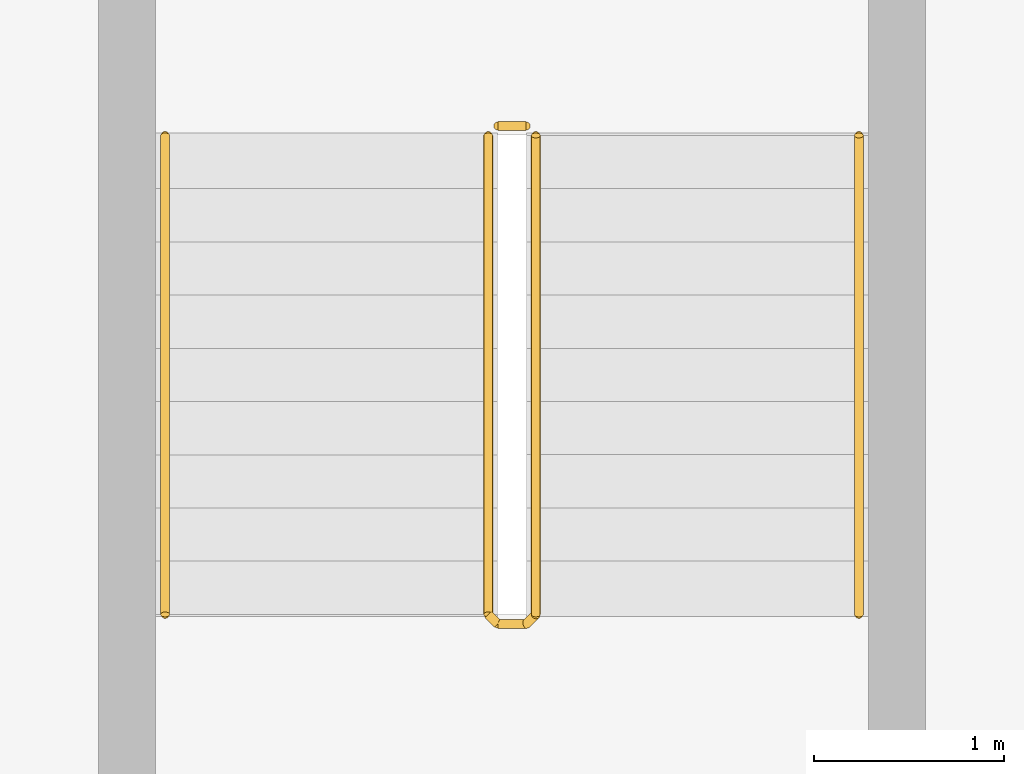
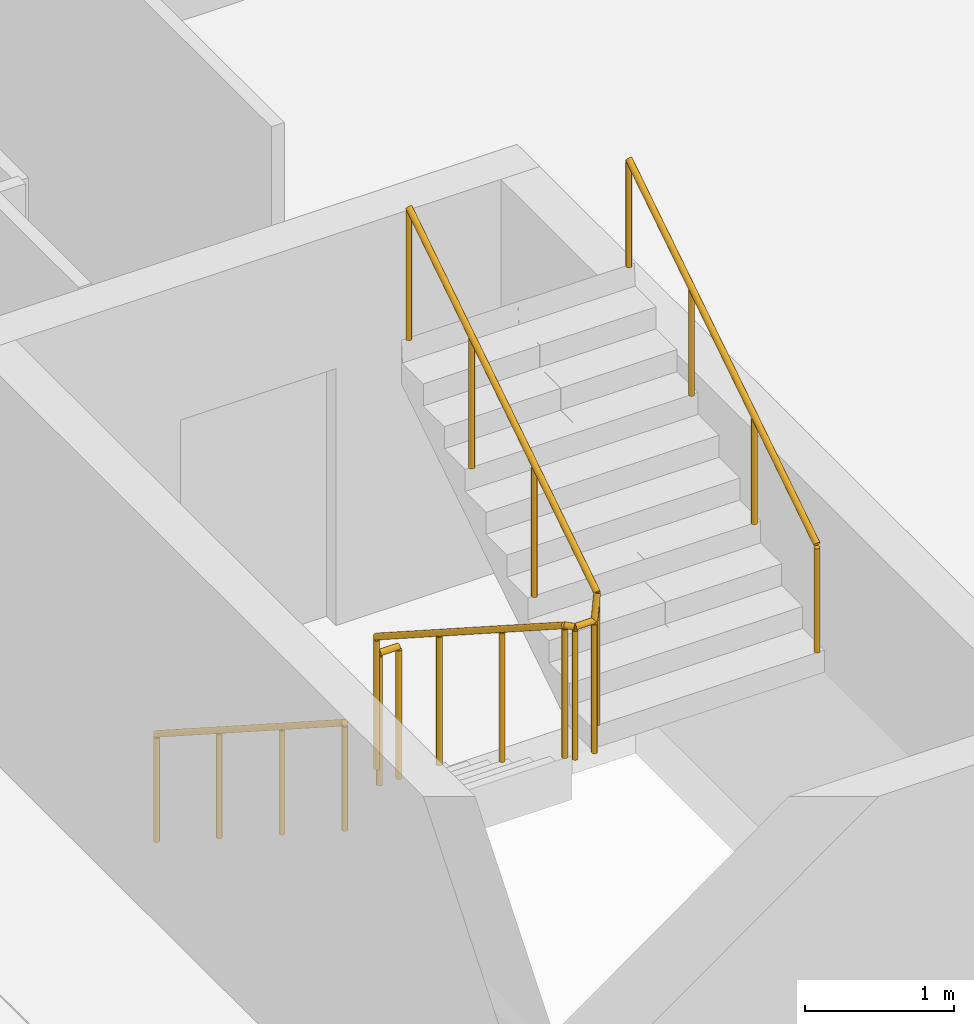
# One storey, part 22 of 24: 4 railings.
"""IFC4 building model written with IfcOpenShell, lengths in metres."""

from ifc_helpers import new_model, si_unit, direction, frame, origin, origin_2d, place, context, subcontext, project, spatial, circle, extrude, material, type_object, element, save


model = new_model("IFC4")

# Units and contexts
model_context = context("Model", 3, precision=1e-05, world=origin(), true_north=direction((0.0, 1.0)))
body_context = subcontext(model_context, "Body", "Model", "MODEL_VIEW")
ifc_project = project(units=[si_unit("LENGTHUNIT", "METRE"), si_unit("AREAUNIT", "SQUARE_METRE"), si_unit("VOLUMEUNIT", "CUBIC_METRE"), si_unit("PLANEANGLEUNIT", "RADIAN"), si_unit("MASSUNIT", "GRAM", prefix="KILO")], contexts=[model_context])

# Site, building, storey
site_placement = place(None, origin())
site = spatial("IfcSite", under=ifc_project, at=site_placement, CompositionType="ELEMENT")
building_placement = place(site_placement, origin())
building = spatial("IfcBuilding", under=site, at=building_placement, Name="Wharfspan Tower", CompositionType="ELEMENT")
storey_placement = place(building_placement, frame((0.0, 0.0, 41.5)))
storey = spatial("IfcBuildingStorey", under=building, at=storey_placement, Name="L06", CompositionType="ELEMENT", Elevation=41.5)

# Railings
ifc_material = material(Name="Steel S355J2", Category="steel")
railing_type_1 = type_object("IfcRailingType", Name="Stair guard 1100", PredefinedType="GUARDRAIL", material=ifc_material)
railing_1_placement = place(storey_placement, frame((39.258301, 3.760498, 0.179932)))
element("IfcRailing", 1, at=railing_1_placement, inside=storey, type_object=railing_type_1, Name="L06 ST4 stair guard 1", PredefinedType="GUARDRAIL", context=body_context, shape_type="SweptSolid", body=[
    extrude(circle(Radius=0.023926, at=origin_2d()), frame((0.0, 0.0, 1.076172), z_axis=(0.0, -0.841139, 0.540819), x_axis=(1.0, 0.0, 0.0)), (0.0, 0.0, 1.0), 2.995605),
    extrude(circle(Radius=0.023926, at=origin_2d()), frame((0.0, -2.519775, 2.696289), z_axis=(0.707107, -0.707107, 0.0), x_axis=(0.707107, 0.707107, 0.0)), (0.0, 0.0, 1.0), 0.070801),
    extrude(circle(Radius=0.023926, at=origin_2d()), frame((0.050049, -2.569824, 2.696289), z_axis=(1.0, 0.0, 0.0), x_axis=(0.0, 1.0, 0.0)), (0.0, 0.0, 1.0), 0.149902),
    extrude(circle(Radius=0.023926, at=origin_2d()), frame((0.199951, -2.569824, 2.696289), z_axis=(0.258848, 0.258848, 0.930589), x_axis=(-0.707107, 0.707107, 0.0)), (0.0, 0.0, 1.0), 0.193359),
    extrude(circle(Radius=0.023926, at=origin_2d()), frame((0.25, -2.519775, 2.875977), z_axis=(0.0, 0.841139, 0.540819), x_axis=(-1.0, 0.0, 0.0)), (0.0, 0.0, 1.0), 2.995605),
    extrude(circle(Radius=0.020996, at=origin_2d()), origin(), (0.0, 0.0, 1.0), 1.052002),
    extrude(circle(Radius=0.020996, at=origin_2d()), frame((0.0, -0.839844, 0.540039)), (0.0, 0.0, 1.0), 1.052002),
    extrude(circle(Radius=0.020996, at=origin_2d()), frame((0.0, -1.679932, 1.080078)), (0.0, 0.0, 1.0), 1.052002),
    extrude(circle(Radius=0.020996, at=origin_2d()), frame((0.0, -2.519775, 1.620117)), (0.0, 0.0, 1.0), 1.052002),
    extrude(circle(Radius=0.020996, at=origin_2d()), frame((0.050049, -2.569824, 1.620117)), (0.0, 0.0, 1.0), 1.052002),
    extrude(circle(Radius=0.020996, at=origin_2d()), frame((0.199951, -2.569824, 1.620117)), (0.0, 0.0, 1.0), 1.052002),
    extrude(circle(Radius=0.020996, at=origin_2d()), frame((0.25, -2.519775, 1.800049)), (0.0, 0.0, 1.0), 1.052002),
    extrude(circle(Radius=0.020996, at=origin_2d()), frame((0.25, -1.679932, 2.340088)), (0.0, 0.0, 1.0), 1.052002),
    extrude(circle(Radius=0.020996, at=origin_2d()), frame((0.25, -0.839844, 2.880127)), (0.0, 0.0, 1.0), 1.052002),
    extrude(circle(Radius=0.020996, at=origin_2d()), frame((0.25, 0.0, 3.420166)), (0.0, 0.0, 1.0), 1.052002),
])
railing_2_placement = place(storey_placement, frame((39.30835, 3.810547, 0.0)))
element("IfcRailing", 2, at=railing_2_placement, inside=storey, type_object=railing_type_1, Name="L06 ST4 stair guard 2", PredefinedType="GUARDRAIL", context=body_context, shape_type="SweptSolid", body=[
    extrude(circle(Radius=0.023926, at=origin_2d()), frame((0.0, 0.0, 1.076172), z_axis=(1.0, 0.0, 0.0), x_axis=(0.0, 1.0, 0.0)), (0.0, 0.0, 1.0), 0.149902),
    extrude(circle(Radius=0.020996, at=origin_2d()), origin(), (0.0, 0.0, 1.0), 1.052002),
    extrude(circle(Radius=0.020996, at=origin_2d()), frame((0.149902, 0.0, 0.0)), (0.0, 0.0, 1.0), 1.052002),
])
railing_type_2 = type_object("IfcRailingType", Name="Stair handrail 900", PredefinedType="HANDRAIL", material=ifc_material)
railing_3_placement = place(storey_placement, frame((37.55835, 3.760498, 0.179932)))
element("IfcRailing", 3, at=railing_3_placement, inside=storey, type_object=railing_type_2, Name="L06 ST4 stair handrail 1", PredefinedType="HANDRAIL", context=body_context, shape_type="SweptSolid", body=[
    extrude(circle(Radius=0.023926, at=origin_2d()), frame((0.0, 0.0, 0.875977), z_axis=(0.0, -0.841139, 0.540819), x_axis=(1.0, 0.0, 0.0)), (0.0, 0.0, 1.0), 2.995605),
    extrude(circle(Radius=0.020996, at=origin_2d()), origin(), (0.0, 0.0, 1.0), 0.851807),
    extrude(circle(Radius=0.020996, at=origin_2d()), frame((0.0, -0.839844, 0.540039)), (0.0, 0.0, 1.0), 0.851807),
    extrude(circle(Radius=0.020996, at=origin_2d()), frame((0.0, -1.679932, 1.080078)), (0.0, 0.0, 1.0), 0.851807),
    extrude(circle(Radius=0.020996, at=origin_2d()), frame((0.0, -2.519775, 1.620117)), (0.0, 0.0, 1.0), 0.851807),
])
railing_4_placement = place(storey_placement, frame((41.208252, 1.240723, 1.97998)))
element("IfcRailing", 4, at=railing_4_placement, inside=storey, type_object=railing_type_2, Name="L06 ST4 stair handrail 2", PredefinedType="HANDRAIL", context=body_context, shape_type="SweptSolid", body=[
    extrude(circle(Radius=0.023926, at=origin_2d()), frame((0.0, 0.0, 0.875977), z_axis=(0.0, 0.841139, 0.540819), x_axis=(-1.0, 0.0, 0.0)), (0.0, 0.0, 1.0), 2.995605),
    extrude(circle(Radius=0.020996, at=origin_2d()), origin(), (0.0, 0.0, 1.0), 0.851807),
    extrude(circle(Radius=0.020996, at=origin_2d()), frame((0.0, 0.839844, 0.540039)), (0.0, 0.0, 1.0), 0.851807),
    extrude(circle(Radius=0.020996, at=origin_2d()), frame((0.0, 1.679932, 1.080078)), (0.0, 0.0, 1.0), 0.851807),
    extrude(circle(Radius=0.020996, at=origin_2d()), frame((0.0, 2.519775, 1.620117)), (0.0, 0.0, 1.0), 0.851807),
])

save(model, "model.ifc")
